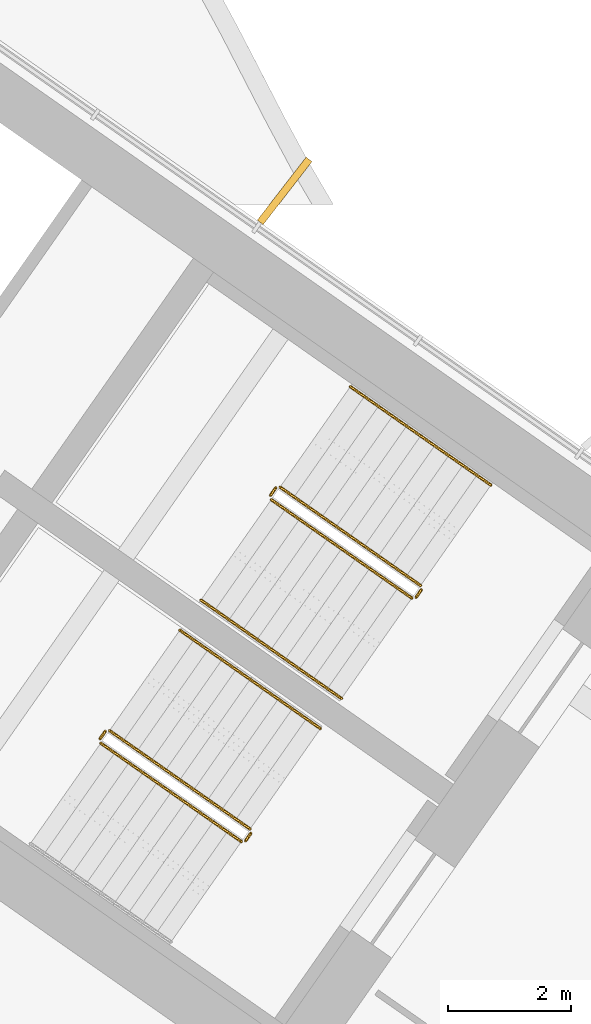
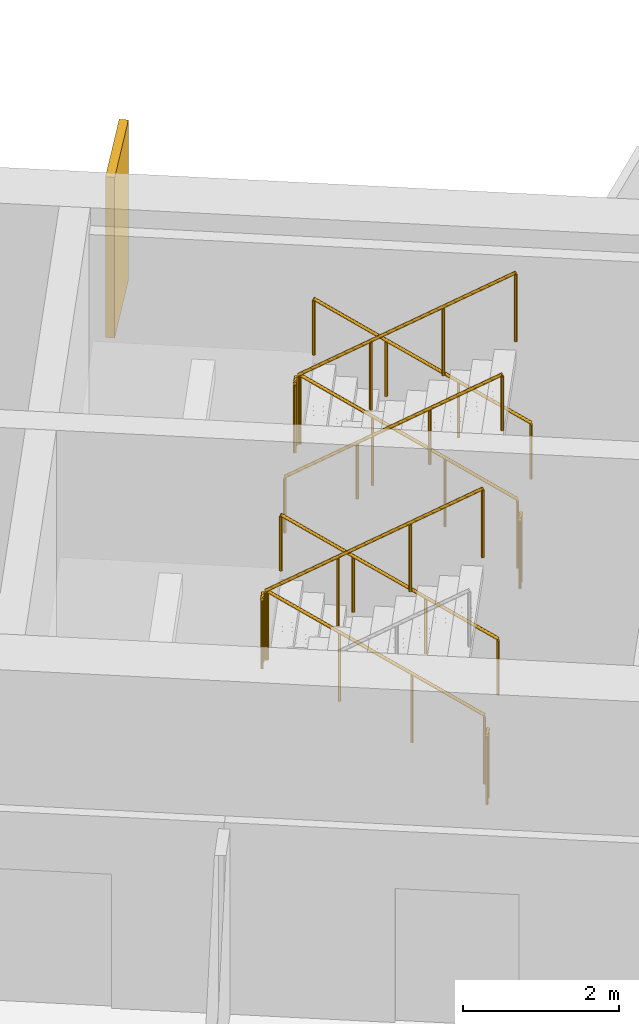
# One storey, part 22 of 24: 11 railings, 1 shading device.
"""IFC4 building model written with IfcOpenShell, lengths in metres."""

from ifc_helpers import new_model, si_unit, direction, frame, origin, origin_2d, place, context, subcontext, project, spatial, rectangle, circle, extrude, material, layer, layer_set, type_object, element, save


model = new_model("IFC4")

# Units and contexts
model_context = context("Model", 3, precision=1e-05, world=origin(), true_north=direction((0.0, 1.0)))
body_context = subcontext(model_context, "Body", "Model", "MODEL_VIEW")
ifc_project = project(units=[si_unit("LENGTHUNIT", "METRE"), si_unit("AREAUNIT", "SQUARE_METRE"), si_unit("VOLUMEUNIT", "CUBIC_METRE"), si_unit("PLANEANGLEUNIT", "RADIAN"), si_unit("MASSUNIT", "GRAM", prefix="KILO")], contexts=[model_context])

# Site, building, storey
site_placement = place(None, origin())
site = spatial("IfcSite", under=ifc_project, at=site_placement, CompositionType="ELEMENT")
building_placement = place(site_placement, origin())
building = spatial("IfcBuilding", under=site, at=building_placement, Name="Tel Ilan Convention Tower", CompositionType="ELEMENT")
storey_placement = place(building_placement, frame((0.0, 0.0, 167.10009765625)))
storey = spatial("IfcBuildingStorey", under=building, at=storey_placement, Name="L38", CompositionType="ELEMENT", Elevation=167.10009765625)

# Shading device
ifc_material_1 = material(Name="Aluminium, bronze anodised", Category="aluminium")
ifc_layer = layer(ifc_material_1, 0.1201171875)
ifc_layer_set = layer_set([ifc_layer], Name="FIN BRONZE 1300x120")
shading_device_type = type_object("IfcShadingDeviceType", Name="FIN BRONZE 1300x120", PredefinedType="USERDEFINED", material=ifc_layer_set)
shading_device_placement = place(storey_placement, frame((21.46044921875, -1.4130859375, 1.099853515625), z_axis=(0.0, 0.0, 1.0), x_axis=(0.612600545196, 0.790392669516, 0.0)))
element("IfcShadingDevice", 1, at=shading_device_placement, inside=storey, type_object=shading_device_type, Name="FIN", ObjectType="FIN", PredefinedType="USERDEFINED", context=body_context, shape_type="SweptSolid", body=[
    extrude(rectangle(XDim=1.300048828125, YDim=0.1201171875, at=origin_2d()), origin(), (0.0, 0.0, 1.0), 2.52001953125),
])

# Railings
ifc_material_2 = material(Name="Stainless Steel Grade 316", Category="steel")
railing_type_1 = type_object("IfcRailingType", Name="Stainless Steel Stair Guard 1100 mm", PredefinedType="GUARDRAIL", material=ifc_material_2)
railing_1_placement = place(storey_placement, frame((23.6787109375, -7.8515625, 0.17724609375)))
element("IfcRailing", 2, at=railing_1_placement, inside=storey, type_object=railing_type_1, Name="L38 S3 stair guard 1", PredefinedType="GUARDRAIL", context=body_context, shape_type="SweptSolid", body=[
    extrude(circle(Radius=0.02392578125, at=origin_2d()), frame((0.0, 0.0, 1.076171875), z_axis=(-0.692084706163, 0.484621375041, 0.534940073605), x_axis=(-0.573591086599, -0.819141785879, 0.0)), (0.0, 0.0, 1.0), 3.313720703125),
    extrude(circle(Radius=0.02099609375, at=origin_2d()), origin(), (0.0, 0.0, 1.0), 1.052001953125),
    extrude(circle(Radius=0.02099609375, at=origin_2d()), frame((-0.764404296875, 0.535400390625, 0.5908203125)), (0.0, 0.0, 1.0), 1.052001953125),
    extrude(circle(Radius=0.02099609375, at=origin_2d()), frame((-1.529052734375, 1.070556640625, 1.181884765625)), (0.0, 0.0, 1.0), 1.052001953125),
    extrude(circle(Radius=0.02099609375, at=origin_2d()), frame((-2.29345703125, 1.60595703125, 1.772705078125)), (0.0, 0.0, 1.0), 1.052001953125),
])
railing_2_placement = place(storey_placement, frame((21.3154296875, -6.2578125, 1.949951171875)))
element("IfcRailing", 3, at=railing_2_placement, inside=storey, type_object=railing_type_1, Name="L38 S3 stair guard 2", PredefinedType="GUARDRAIL", context=body_context, shape_type="SweptSolid", body=[
    extrude(circle(Radius=0.02392578125, at=origin_2d()), frame((0.0, 0.0, 1.076171875), z_axis=(-0.573353020881, -0.819308436089, 0.0), x_axis=(0.819308436089, -0.573353020881, 0.0)), (0.0, 0.0, 1.0), 0.14990234375),
    extrude(circle(Radius=0.02099609375, at=origin_2d()), origin(), (0.0, 0.0, 1.0), 1.052001953125),
    extrude(circle(Radius=0.02099609375, at=origin_2d()), frame((-0.0859375, -0.122802734375, 0.0)), (0.0, 0.0, 1.0), 1.052001953125),
])
railing_3_placement = place(storey_placement, frame((21.24169921875, -6.4501953125, 2.127197265625)))
element("IfcRailing", 4, at=railing_3_placement, inside=storey, type_object=railing_type_1, Name="L38 S3 stair guard 3", PredefinedType="GUARDRAIL", context=body_context, shape_type="SweptSolid", body=[
    extrude(circle(Radius=0.02392578125, at=origin_2d()), frame((0.0, 0.0, 1.076171875), z_axis=(0.692098378994, -0.484653031975, 0.534893701956), x_axis=(0.573608623498, 0.819129505664, 0.0)), (0.0, 0.0, 1.0), 3.314208984375),
    extrude(circle(Radius=0.02099609375, at=origin_2d()), origin(), (0.0, 0.0, 1.0), 1.052001953125),
    extrude(circle(Radius=0.02099609375, at=origin_2d()), frame((0.7646484375, -0.535400390625, 0.5908203125)), (0.0, 0.0, 1.0), 1.052001953125),
    extrude(circle(Radius=0.02099609375, at=origin_2d()), frame((1.529052734375, -1.07080078125, 1.181884765625)), (0.0, 0.0, 1.0), 1.052001953125),
    extrude(circle(Radius=0.02099609375, at=origin_2d()), frame((2.293701171875, -1.606201171875, 1.772705078125)), (0.0, 0.0, 1.0), 1.052001953125),
])
railing_4_placement = place(storey_placement, frame((23.691162109375, -7.921142578125, 0.0)))
element("IfcRailing", 5, at=railing_4_placement, inside=storey, type_object=railing_type_1, Name="L38 S3 stair guard 4", PredefinedType="GUARDRAIL", context=body_context, shape_type="SweptSolid", body=[
    extrude(circle(Radius=0.02392578125, at=origin_2d()), frame((0.0, 0.0, 1.076171875), z_axis=(-0.574444878118, -0.818543268254, 0.0), x_axis=(0.818543268254, -0.574444878118, 0.0)), (0.0, 0.0, 1.0), 0.150146484375),
    extrude(circle(Radius=0.02099609375, at=origin_2d()), origin(), (0.0, 0.0, 1.0), 1.052001953125),
    extrude(circle(Radius=0.02099609375, at=origin_2d()), frame((-0.086181640625, -0.122802734375, 0.0)), (0.0, 0.0, 1.0), 1.052001953125),
])
railing_5_placement = place(storey_placement, frame((20.89697265625, -11.824462890625, 0.17724609375)))
element("IfcRailing", 6, at=railing_5_placement, inside=storey, type_object=railing_type_1, Name="L38 S4 stair guard 1", PredefinedType="GUARDRAIL", context=body_context, shape_type="SweptSolid", body=[
    extrude(circle(Radius=0.02392578125, at=origin_2d()), frame((0.0, 0.0, 1.076171875), z_axis=(-0.692123088272, 0.484596665743, 0.534912798717), x_axis=(-0.573550118428, -0.819170471667, 0.0)), (0.0, 0.0, 1.0), 3.31396484375),
    extrude(circle(Radius=0.02099609375, at=origin_2d()), origin(), (0.0, 0.0, 1.0), 1.052001953125),
    extrude(circle(Radius=0.02099609375, at=origin_2d()), frame((-0.7646484375, 0.535400390625, 0.5908203125)), (0.0, 0.0, 1.0), 1.052001953125),
    extrude(circle(Radius=0.02099609375, at=origin_2d()), frame((-1.529052734375, 1.070556640625, 1.181884765625)), (0.0, 0.0, 1.0), 1.052001953125),
    extrude(circle(Radius=0.02099609375, at=origin_2d()), frame((-2.293701171875, 1.60595703125, 1.772705078125)), (0.0, 0.0, 1.0), 1.052001953125),
])
railing_6_placement = place(storey_placement, frame((18.53369140625, -10.230712890625, 1.949951171875)))
element("IfcRailing", 7, at=railing_6_placement, inside=storey, type_object=railing_type_1, Name="L38 S4 stair guard 2", PredefinedType="GUARDRAIL", context=body_context, shape_type="SweptSolid", body=[
    extrude(circle(Radius=0.02392578125, at=origin_2d()), frame((0.0, 0.0, 1.076171875), z_axis=(-0.573353020881, -0.819308436089, 0.0), x_axis=(0.819308436089, -0.573353020881, 0.0)), (0.0, 0.0, 1.0), 0.14990234375),
    extrude(circle(Radius=0.02099609375, at=origin_2d()), origin(), (0.0, 0.0, 1.0), 1.052001953125),
    extrude(circle(Radius=0.02099609375, at=origin_2d()), frame((-0.0859375, -0.122802734375, 0.0)), (0.0, 0.0, 1.0), 1.052001953125),
])
railing_7_placement = place(storey_placement, frame((18.4599609375, -10.423095703125, 2.127197265625)))
element("IfcRailing", 8, at=railing_7_placement, inside=storey, type_object=railing_type_1, Name="L38 S4 stair guard 3", PredefinedType="GUARDRAIL", context=body_context, shape_type="SweptSolid", body=[
    extrude(circle(Radius=0.02392578125, at=origin_2d()), frame((0.0, 0.0, 1.076171875), z_axis=(0.692098378994, -0.484653031975, 0.534893701956), x_axis=(0.573608623498, 0.819129505664, 0.0)), (0.0, 0.0, 1.0), 3.314208984375),
    extrude(circle(Radius=0.02099609375, at=origin_2d()), origin(), (0.0, 0.0, 1.0), 1.052001953125),
    extrude(circle(Radius=0.02099609375, at=origin_2d()), frame((0.7646484375, -0.535400390625, 0.5908203125)), (0.0, 0.0, 1.0), 1.052001953125),
    extrude(circle(Radius=0.02099609375, at=origin_2d()), frame((1.529052734375, -1.07080078125, 1.181884765625)), (0.0, 0.0, 1.0), 1.052001953125),
    extrude(circle(Radius=0.02099609375, at=origin_2d()), frame((2.293701171875, -1.606201171875, 1.772705078125)), (0.0, 0.0, 1.0), 1.052001953125),
])
railing_8_placement = place(storey_placement, frame((20.9091796875, -11.89404296875, 0.0)))
element("IfcRailing", 9, at=railing_8_placement, inside=storey, type_object=railing_type_1, Name="L38 S4 stair guard 4", PredefinedType="GUARDRAIL", context=body_context, shape_type="SweptSolid", body=[
    extrude(circle(Radius=0.02392578125, at=origin_2d()), frame((0.0, 0.0, 1.076171875), z_axis=(-0.573353020881, -0.819308436089, 0.0), x_axis=(0.819308436089, -0.573353020881, 0.0)), (0.0, 0.0, 1.0), 0.14990234375),
    extrude(circle(Radius=0.02099609375, at=origin_2d()), origin(), (0.0, 0.0, 1.0), 1.052001953125),
    extrude(circle(Radius=0.02099609375, at=origin_2d()), frame((-0.0859375, -0.122802734375, 0.0)), (0.0, 0.0, 1.0), 1.052001953125),
])
ifc_material_3 = material(Name="Stainless Steel Grade 316", Category="steel")
railing_type_2 = type_object("IfcRailingType", Name="Stainless Steel Stair Handrail 900 mm", PredefinedType="HANDRAIL", material=ifc_material_3)
railing_9_placement = place(storey_placement, frame((24.825927734375, -6.213134765625, 0.17724609375)))
element("IfcRailing", 10, at=railing_9_placement, inside=storey, type_object=railing_type_2, Name="L38 S3 stair handrail 1", PredefinedType="HANDRAIL", context=body_context, shape_type="SweptSolid", body=[
    extrude(circle(Radius=0.02392578125, at=origin_2d()), frame((0.0, 0.0, 0.8759765625), z_axis=(-0.692123088272, 0.484596665743, 0.534912798717), x_axis=(-0.573550118428, -0.819170471667, 0.0)), (0.0, 0.0, 1.0), 3.31396484375),
    extrude(circle(Radius=0.02099609375, at=origin_2d()), origin(), (0.0, 0.0, 1.0), 0.851806640625),
    extrude(circle(Radius=0.02099609375, at=origin_2d()), frame((-0.7646484375, 0.535400390625, 0.5908203125)), (0.0, 0.0, 1.0), 0.851806640625),
    extrude(circle(Radius=0.02099609375, at=origin_2d()), frame((-1.529052734375, 1.070556640625, 1.181884765625)), (0.0, 0.0, 1.0), 0.851806640625),
    extrude(circle(Radius=0.02099609375, at=origin_2d()), frame((-2.293701171875, 1.60595703125, 1.772705078125)), (0.0, 0.0, 1.0), 0.851806640625),
])
railing_10_placement = place(storey_placement, frame((20.0947265625, -8.088623046875, 2.127197265625)))
element("IfcRailing", 11, at=railing_10_placement, inside=storey, type_object=railing_type_2, Name="L38 S3 stair handrail 2", PredefinedType="HANDRAIL", context=body_context, shape_type="SweptSolid", body=[
    extrude(circle(Radius=0.02392578125, at=origin_2d()), frame((0.0, 0.0, 0.8759765625), z_axis=(0.692084706163, -0.484621375041, 0.534940073605), x_axis=(0.573591086599, 0.819141785879, 0.0)), (0.0, 0.0, 1.0), 3.313720703125),
    extrude(circle(Radius=0.02099609375, at=origin_2d()), origin(), (0.0, 0.0, 1.0), 0.851806640625),
    extrude(circle(Radius=0.02099609375, at=origin_2d()), frame((0.764404296875, -0.535400390625, 0.5908203125)), (0.0, 0.0, 1.0), 0.851806640625),
    extrude(circle(Radius=0.02099609375, at=origin_2d()), frame((1.529052734375, -1.070556640625, 1.181884765625)), (0.0, 0.0, 1.0), 0.851806640625),
    extrude(circle(Radius=0.02099609375, at=origin_2d()), frame((2.29345703125, -1.60595703125, 1.772705078125)), (0.0, 0.0, 1.0), 0.851806640625),
])
railing_11_placement = place(storey_placement, frame((22.044189453125, -10.18603515625, 0.17724609375)))
element("IfcRailing", 12, at=railing_11_placement, inside=storey, type_object=railing_type_2, Name="L38 S4 stair handrail 1", PredefinedType="HANDRAIL", context=body_context, shape_type="SweptSolid", body=[
    extrude(circle(Radius=0.02392578125, at=origin_2d()), frame((0.0, 0.0, 0.8759765625), z_axis=(-0.692123088272, 0.484596665743, 0.534912798717), x_axis=(-0.573550118428, -0.819170471667, 0.0)), (0.0, 0.0, 1.0), 3.31396484375),
    extrude(circle(Radius=0.02099609375, at=origin_2d()), origin(), (0.0, 0.0, 1.0), 0.851806640625),
    extrude(circle(Radius=0.02099609375, at=origin_2d()), frame((-0.7646484375, 0.535400390625, 0.5908203125)), (0.0, 0.0, 1.0), 0.851806640625),
    extrude(circle(Radius=0.02099609375, at=origin_2d()), frame((-1.529052734375, 1.070556640625, 1.181884765625)), (0.0, 0.0, 1.0), 0.851806640625),
    extrude(circle(Radius=0.02099609375, at=origin_2d()), frame((-2.293701171875, 1.60595703125, 1.772705078125)), (0.0, 0.0, 1.0), 0.851806640625),
])

save(model, "model.ifc")
